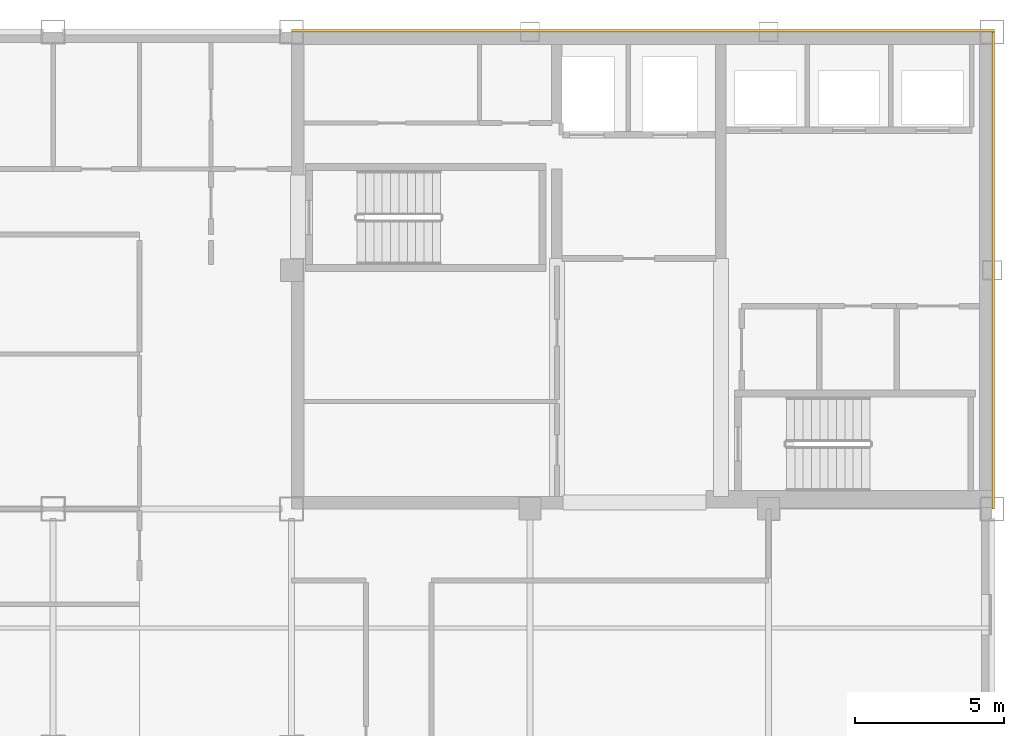
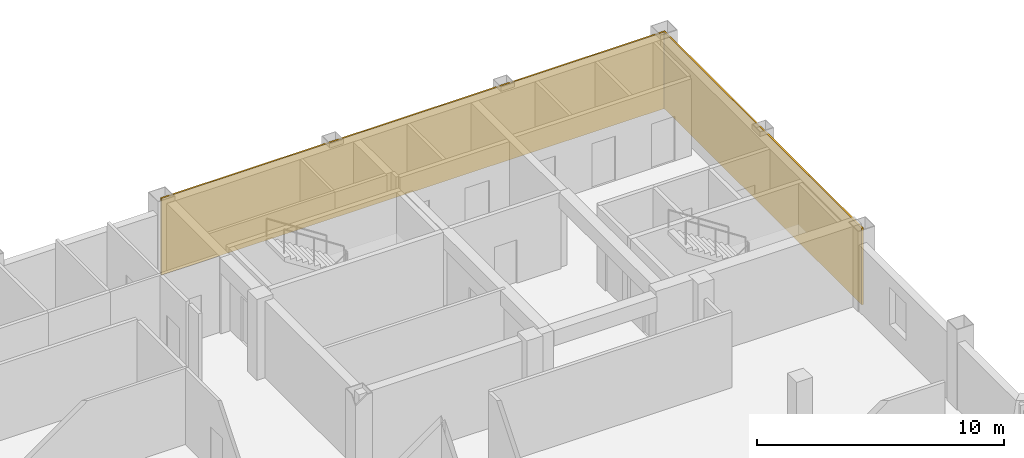
# One storey, part 7 of 7: 2 coverings.
"""IFC4 building model written with IfcOpenShell, lengths in metres."""

from ifc_helpers import new_model, si_unit, direction, frame, origin, origin_2d, place, context, subcontext, project, spatial, rectangle, extrude, material, layer, layer_set, type_object, element, save


model = new_model("IFC4")

# Units and contexts
model_context = context("Model", 3, precision=1e-05, world=origin(), true_north=direction((0.0, 1.0)))
body_context = subcontext(model_context, "Body", "Model", "MODEL_VIEW")
ifc_project = project(units=[si_unit("LENGTHUNIT", "METRE"), si_unit("AREAUNIT", "SQUARE_METRE"), si_unit("VOLUMEUNIT", "CUBIC_METRE"), si_unit("PLANEANGLEUNIT", "RADIAN"), si_unit("MASSUNIT", "GRAM", prefix="KILO")], contexts=[model_context])

# Site, building, storey
site_placement = place(None, origin())
site = spatial("IfcSite", under=ifc_project, at=site_placement, CompositionType="ELEMENT")
building_placement = place(site_placement, origin())
building = spatial("IfcBuilding", under=site, at=building_placement, Name="Qianrong Seaharbour Tower", CompositionType="ELEMENT")
storey_placement = place(building_placement, frame((0.0, 0.0, 307.199951171875)))
storey = spatial("IfcBuildingStorey", under=building, at=storey_placement, Name="L74", CompositionType="ELEMENT", Elevation=307.199951171875)

# Coverings
ifc_material = material(Name="Unitised red brick cladding on Precast concrete C45/55", Category="masonry")
ifc_layer = layer(ifc_material, 0.080078125)
ifc_layer_set = layer_set([ifc_layer], Name="Unitised red brick cladding on Precast concrete C45/55")
covering_type = type_object("IfcCoveringType", Name="COV-CLAD-RED-BRICK-80", PredefinedType="CLADDING", material=ifc_layer_set)
covering_1_placement = place(storey_placement, frame((52.2900390625, 52.0400390625, 0.0), z_axis=(0.0, 0.0, 1.0), x_axis=(1.0, 0.0, 0.0)))
element("IfcCovering", 1, at=covering_1_placement, inside=storey, type_object=covering_type, Name="L74 North Core Brick Veneer Cladding", PredefinedType="CLADDING", context=body_context, shape_type="SweptSolid", body=[
    extrude(rectangle(XDim=23.580078125, YDim=0.080078125, at=origin_2d()), origin(), (0.0, 0.0, 1.0), 3.784912109375),
])
covering_2_placement = place(storey_placement, frame((64.0400390625, 44.0, 0.0), z_axis=(0.0, 0.0, 1.0), x_axis=(1.0, 0.0, 0.0)))
element("IfcCovering", 2, at=covering_2_placement, inside=storey, type_object=covering_type, Name="L74 East Core Brick Veneer Cladding", PredefinedType="CLADDING", context=body_context, shape_type="SweptSolid", body=[
    extrude(rectangle(XDim=0.080078125, YDim=16.0, at=origin_2d()), origin(), (0.0, 0.0, 1.0), 3.784912109375),
])

save(model, "model.ifc")
